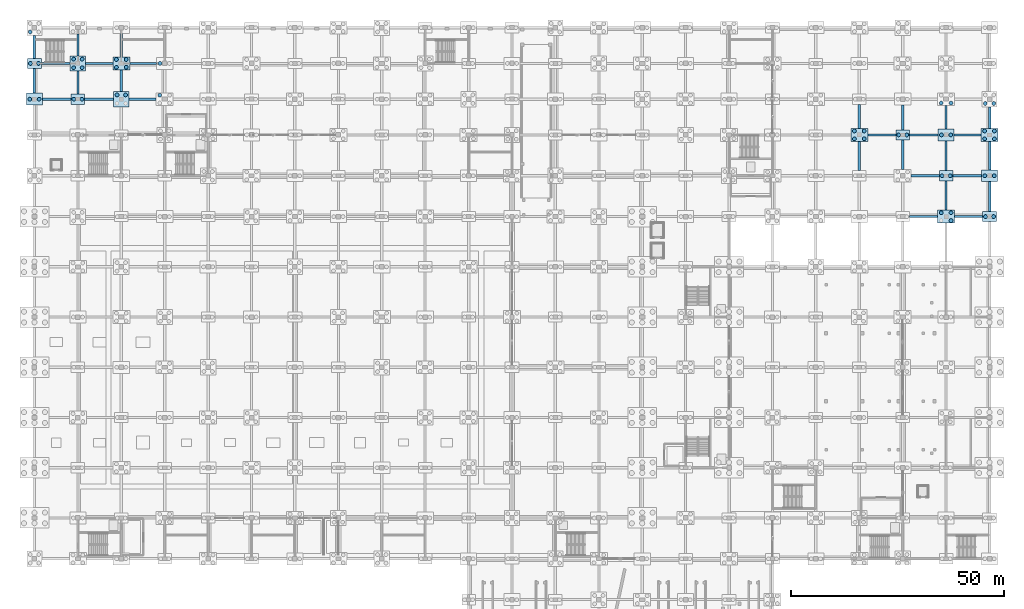
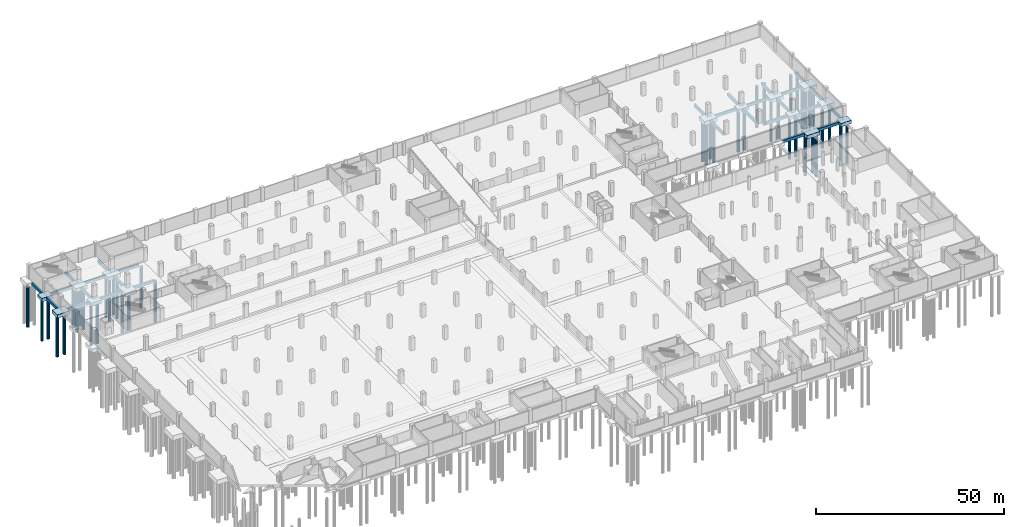
# One storey, part 17 of 52: 44 piles, 43 footings.
"""IFC4 building model written with IfcOpenShell, lengths in metres."""

from ifc_helpers import new_model, si_unit, direction, frame, origin, origin_2d, place, context, subcontext, project, spatial, polyline, rectangle, circle, outline, extrude, material, material_profile, profile_set, type_object, element, save


model = new_model("IFC4")

# Units and contexts
model_context = context("Model", 3, precision=1e-05, world=origin(), true_north=direction((0.0, 1.0)))
body_context = subcontext(model_context, "Body", "Model", "MODEL_VIEW")
ifc_project = project(units=[si_unit("LENGTHUNIT", "METRE"), si_unit("AREAUNIT", "SQUARE_METRE"), si_unit("VOLUMEUNIT", "CUBIC_METRE"), si_unit("PLANEANGLEUNIT", "RADIAN"), si_unit("MASSUNIT", "GRAM", prefix="KILO")], contexts=[model_context])

# Site, building, storey
site_placement = place(None, origin())
site = spatial("IfcSite", under=ifc_project, at=site_placement, CompositionType="ELEMENT")
building_placement = place(site_placement, origin())
building = spatial("IfcBuilding", under=site, at=building_placement, Name="Brelvane Convention Centre", CompositionType="ELEMENT")
storey_placement = place(building_placement, frame((0.0, 0.0, -4.5)))
storey = spatial("IfcBuildingStorey", under=building, at=storey_placement, Name="B1", CompositionType="ELEMENT", Elevation=-4.5)

# Piles
ifc_material_1 = material(Name="Concrete M40", Category="concrete")
ifc_material_profile_1 = material_profile(ifc_material_1, circle(Radius=0.449951171875, at=origin_2d()), Name="PILE D900")
ifc_profile_set_1 = profile_set([ifc_material_profile_1], Name="Concrete M40")
pile_type = type_object("IfcPileType", Name="Bored Pile PL-900", PredefinedType="BORED", material=ifc_profile_set_1)
for number, where, z_axis, x_axis, name in (
    (1, (-1.10009765625, 127.199951171875, -1.5), (0.0, 0.0, -1.0), (1.0, 0.0, 0.0), "Bored Pile PL-900 1-N-1"),
    (2, (1.10009765625, 127.199951171875, -1.5), (0.0, 0.0, -1.0), (1.0, 0.0, 0.0), "Bored Pile PL-900 1-N-2"),
):
    element("IfcPile", number, at=place(storey_placement, frame(where, z_axis=z_axis, x_axis=x_axis)), inside=storey, type_object=pile_type, Name=name, PredefinedType="BORED", context=body_context, shape_type="SweptSolid", body=[
        extrude(circle(Radius=0.449951171875, at=origin_2d()), origin(), (0.0, 0.0, 1.0), 13.5),
    ])
for number, where, z_axis, x_axis, name in (
    (3, (-0.949951171875, 135.60009765625, -1.449951171875), (0.0, 0.0, -1.0), (1.0, 0.0, 0.0), "Bored Pile PL-900 1-P-1"),
    (4, (0.949951171875, 135.60009765625, -1.449951171875), (0.0, 0.0, -1.0), (1.0, 0.0, 0.0), "Bored Pile PL-900 1-P-2"),
):
    element("IfcPile", number, at=place(storey_placement, frame(where, z_axis=z_axis, x_axis=x_axis)), inside=storey, type_object=pile_type, Name=name, PredefinedType="BORED", context=body_context, shape_type="SweptSolid", body=[
        extrude(circle(Radius=0.449951171875, at=origin_2d()), origin(), (0.0, 0.0, 1.0), 13.550048828125),
    ])
pile_1_placement = place(storey_placement, frame((-1.0, 143.0, -1.550048828125), z_axis=(0.0, 0.0, -1.0), x_axis=(1.0, 0.0, 0.0)))
element("IfcPile", 5, at=pile_1_placement, inside=storey, type_object=pile_type, Name="Bored Pile PL-900 1-Q-1", PredefinedType="BORED", context=body_context, shape_type="SweptSolid", body=[
    extrude(circle(Radius=0.449951171875, at=origin_2d()), origin(), (0.0, 0.0, 1.0), 13.449951171875),
])
for number, where, z_axis, x_axis, name in (
    (6, (9.25, 127.199951171875, -1.449951171875), (0.0, 0.0, -1.0), (1.0, 0.0, 0.0), "Bored Pile PL-900 2-N-1"),
    (7, (11.14990234375, 127.199951171875, -1.449951171875), (0.0, 0.0, -1.0), (1.0, 0.0, 0.0), "Bored Pile PL-900 2-N-2"),
):
    element("IfcPile", number, at=place(storey_placement, frame(where, z_axis=z_axis, x_axis=x_axis)), inside=storey, type_object=pile_type, Name=name, PredefinedType="BORED", context=body_context, shape_type="SweptSolid", body=[
        extrude(circle(Radius=0.449951171875, at=origin_2d()), origin(), (0.0, 0.0, 1.0), 13.550048828125),
    ])
for number, where, z_axis, x_axis, name in (
    (8, (9.199951171875, 134.60009765625, -1.550048828125), (0.0, 0.0, -1.0), (1.0, 0.0, 0.0), "Bored Pile PL-900 2-P-1"),
    (9, (11.199951171875, 134.60009765625, -1.550048828125), (0.0, 0.0, -1.0), (1.0, 0.0, 0.0), "Bored Pile PL-900 2-P-2"),
    (10, (9.199951171875, 136.60009765625, -1.550048828125), (0.0, 0.0, -1.0), (1.0, 0.0, 0.0), "Bored Pile PL-900 2-P-3"),
    (11, (11.199951171875, 136.60009765625, -1.550048828125), (0.0, 0.0, -1.0), (1.0, 0.0, 0.0), "Bored Pile PL-900 2-P-4"),
    (12, (19.39990234375, 128.199951171875, -1.550048828125), (0.0, 0.0, -1.0), (1.0, 0.0, 0.0), "Bored Pile PL-900 3-N-3"),
    (13, (21.39990234375, 128.199951171875, -1.550048828125), (0.0, 0.0, -1.0), (1.0, 0.0, 0.0), "Bored Pile PL-900 3-N-4"),
    (14, (19.25, 134.679931640625, -1.550048828125), (0.0, 0.0, -1.0), (1.0, 0.0, 0.0), "Bored Pile PL-900 3-P-1"),
    (15, (21.550048828125, 134.679931640625, -1.550048828125), (0.0, 0.0, -1.0), (1.0, 0.0, 0.0), "Bored Pile PL-900 3-P-2"),
    (16, (19.25, 136.52001953125, -1.550048828125), (0.0, 0.0, -1.0), (1.0, 0.0, 0.0), "Bored Pile PL-900 3-P-3"),
    (17, (21.550048828125, 136.52001953125, -1.550048828125), (0.0, 0.0, -1.0), (1.0, 0.0, 0.0), "Bored Pile PL-900 3-P-4"),
    (18, (29.449951171875, 128.1201171875, -1.550048828125), (0.0, 0.0, -1.0), (1.0, 0.0, 0.0), "Bored Pile PL-900 4-N-3"),
):
    element("IfcPile", number, at=place(storey_placement, frame(where, z_axis=z_axis, x_axis=x_axis)), inside=storey, type_object=pile_type, Name=name, PredefinedType="BORED", context=body_context, shape_type="SweptSolid", body=[
        extrude(circle(Radius=0.449951171875, at=origin_2d()), origin(), (0.0, 0.0, 1.0), 13.449951171875),
    ])
pile_2_placement = place(storey_placement, frame((29.5, 135.60009765625, -1.5), z_axis=(0.0, 0.0, -1.0), x_axis=(1.0, 0.0, 0.0)))
element("IfcPile", 19, at=pile_2_placement, inside=storey, type_object=pile_type, Name="Bored Pile PL-900 4-P-1", PredefinedType="BORED", context=body_context, shape_type="SweptSolid", body=[
    extrude(circle(Radius=0.449951171875, at=origin_2d()), origin(), (0.0, 0.0, 1.0), 13.5),
])
for number, where, z_axis, x_axis, name in (
    (20, (192.64990234375, 117.8798828125, -1.550048828125), (0.0, 0.0, -1.0), (1.0, 0.0, 0.0), "Bored Pile PL-900 20-M-1"),
    (21, (194.949951171875, 117.8798828125, -1.550048828125), (0.0, 0.0, -1.0), (1.0, 0.0, 0.0), "Bored Pile PL-900 20-M-2"),
    (22, (192.64990234375, 119.719970703125, -1.550048828125), (0.0, 0.0, -1.0), (1.0, 0.0, 0.0), "Bored Pile PL-900 20-M-3"),
    (23, (194.949951171875, 119.719970703125, -1.550048828125), (0.0, 0.0, -1.0), (1.0, 0.0, 0.0), "Bored Pile PL-900 20-M-4"),
):
    element("IfcPile", number, at=place(storey_placement, frame(where, z_axis=z_axis, x_axis=x_axis)), inside=storey, type_object=pile_type, Name=name, PredefinedType="BORED", context=body_context, shape_type="SweptSolid", body=[
        extrude(circle(Radius=0.449951171875, at=origin_2d()), origin(), (0.0, 0.0, 1.0), 13.449951171875),
    ])
for number, where, z_axis, x_axis, name in (
    (24, (203.050048828125, 118.800048828125, -1.449951171875), (0.0, 0.0, -1.0), (1.0, 0.0, 0.0), "Bored Pile PL-900 21-M-1"),
    (25, (204.949951171875, 118.800048828125, -1.449951171875), (0.0, 0.0, -1.0), (1.0, 0.0, 0.0), "Bored Pile PL-900 21-M-2"),
):
    element("IfcPile", number, at=place(storey_placement, frame(where, z_axis=z_axis, x_axis=x_axis)), inside=storey, type_object=pile_type, Name=name, PredefinedType="BORED", context=body_context, shape_type="SweptSolid", body=[
        extrude(circle(Radius=0.449951171875, at=origin_2d()), origin(), (0.0, 0.0, 1.0), 13.550048828125),
    ])
for number, where, z_axis, x_axis, name in (
    (26, (215.35009765625, 98.679931640625, -1.550048828125), (0.0, 0.0, -1.0), (1.0, 0.0, 0.0), "Bored Pile PL-900 22-K-2"),
    (27, (213.050048828125, 100.52001953125, -1.550048828125), (0.0, 0.0, -1.0), (1.0, 0.0, 0.0), "Bored Pile PL-900 22-K-3"),
    (28, (215.35009765625, 100.52001953125, -1.550048828125), (0.0, 0.0, -1.0), (1.0, 0.0, 0.0), "Bored Pile PL-900 22-K-4"),
):
    element("IfcPile", number, at=place(storey_placement, frame(where, z_axis=z_axis, x_axis=x_axis)), inside=storey, type_object=pile_type, Name=name, PredefinedType="BORED", context=body_context, shape_type="SweptSolid", body=[
        extrude(circle(Radius=0.449951171875, at=origin_2d()), origin(), (0.0, 0.0, 1.0), 13.449951171875),
    ])
for number, where, z_axis, x_axis, name in (
    (29, (213.25, 109.199951171875, -1.449951171875), (0.0, 0.0, -1.0), (1.0, 0.0, 0.0), "Bored Pile PL-900 22-L-1"),
    (30, (215.14990234375, 109.199951171875, -1.449951171875), (0.0, 0.0, -1.0), (1.0, 0.0, 0.0), "Bored Pile PL-900 22-L-2"),
):
    element("IfcPile", number, at=place(storey_placement, frame(where, z_axis=z_axis, x_axis=x_axis)), inside=storey, type_object=pile_type, Name=name, PredefinedType="BORED", context=body_context, shape_type="SweptSolid", body=[
        extrude(circle(Radius=0.449951171875, at=origin_2d()), origin(), (0.0, 0.0, 1.0), 13.550048828125),
    ])
for number, where, z_axis, x_axis, name in (
    (31, (213.10009765625, 118.800048828125, -1.5), (0.0, 0.0, -1.0), (1.0, 0.0, 0.0), "Bored Pile PL-900 22-M-1"),
    (32, (215.300048828125, 118.800048828125, -1.5), (0.0, 0.0, -1.0), (1.0, 0.0, 0.0), "Bored Pile PL-900 22-M-2"),
):
    element("IfcPile", number, at=place(storey_placement, frame(where, z_axis=z_axis, x_axis=x_axis)), inside=storey, type_object=pile_type, Name=name, PredefinedType="BORED", context=body_context, shape_type="SweptSolid", body=[
        extrude(circle(Radius=0.449951171875, at=origin_2d()), origin(), (0.0, 0.0, 1.0), 13.5),
    ])
for number, where, z_axis, x_axis, name in (
    (33, (213.050048828125, 126.280029296875, -1.550048828125), (0.0, 0.0, -1.0), (1.0, 0.0, 0.0), "Bored Pile PL-900 22-N-1"),
    (34, (215.35009765625, 126.280029296875, -1.550048828125), (0.0, 0.0, -1.0), (1.0, 0.0, 0.0), "Bored Pile PL-900 22-N-2"),
):
    element("IfcPile", number, at=place(storey_placement, frame(where, z_axis=z_axis, x_axis=x_axis)), inside=storey, type_object=pile_type, Name=name, PredefinedType="BORED", context=body_context, shape_type="SweptSolid", body=[
        extrude(circle(Radius=0.449951171875, at=origin_2d()), origin(), (0.0, 0.0, 1.0), 13.449951171875),
    ])
for number, where, z_axis, x_axis, name in (
    (35, (223.449951171875, 99.60009765625, -1.449951171875), (0.0, 0.0, -1.0), (1.0, 0.0, 0.0), "Bored Pile PL-900 23-K-1"),
    (36, (225.35009765625, 99.60009765625, -1.449951171875), (0.0, 0.0, -1.0), (1.0, 0.0, 0.0), "Bored Pile PL-900 23-K-2"),
):
    element("IfcPile", number, at=place(storey_placement, frame(where, z_axis=z_axis, x_axis=x_axis)), inside=storey, type_object=pile_type, Name=name, PredefinedType="BORED", context=body_context, shape_type="SweptSolid", body=[
        extrude(circle(Radius=0.449951171875, at=origin_2d()), origin(), (0.0, 0.0, 1.0), 13.550048828125),
    ])
for number, where, z_axis, x_axis, name in (
    (37, (223.300048828125, 109.199951171875, -1.5), (0.0, 0.0, -1.0), (1.0, 0.0, 0.0), "Bored Pile PL-900 23-L-1"),
    (38, (225.5, 109.199951171875, -1.5), (0.0, 0.0, -1.0), (1.0, 0.0, 0.0), "Bored Pile PL-900 23-L-2"),
):
    element("IfcPile", number, at=place(storey_placement, frame(where, z_axis=z_axis, x_axis=x_axis)), inside=storey, type_object=pile_type, Name=name, PredefinedType="BORED", context=body_context, shape_type="SweptSolid", body=[
        extrude(circle(Radius=0.449951171875, at=origin_2d()), origin(), (0.0, 0.0, 1.0), 13.5),
    ])
for number, where, z_axis, x_axis, name in (
    (39, (223.25, 117.8798828125, -1.550048828125), (0.0, 0.0, -1.0), (1.0, 0.0, 0.0), "Bored Pile PL-900 23-M-1"),
    (40, (225.550048828125, 117.8798828125, -1.550048828125), (0.0, 0.0, -1.0), (1.0, 0.0, 0.0), "Bored Pile PL-900 23-M-2"),
    (41, (223.25, 119.719970703125, -1.550048828125), (0.0, 0.0, -1.0), (1.0, 0.0, 0.0), "Bored Pile PL-900 23-M-3"),
    (42, (225.550048828125, 119.719970703125, -1.550048828125), (0.0, 0.0, -1.0), (1.0, 0.0, 0.0), "Bored Pile PL-900 23-M-4"),
    (43, (223.39990234375, 126.199951171875, -1.550048828125), (0.0, 0.0, -1.0), (1.0, 0.0, 0.0), "Bored Pile PL-900 23-N-1"),
    (44, (225.39990234375, 126.199951171875, -1.550048828125), (0.0, 0.0, -1.0), (1.0, 0.0, 0.0), "Bored Pile PL-900 23-N-2"),
):
    element("IfcPile", number, at=place(storey_placement, frame(where, z_axis=z_axis, x_axis=x_axis)), inside=storey, type_object=pile_type, Name=name, PredefinedType="BORED", context=body_context, shape_type="SweptSolid", body=[
        extrude(circle(Radius=0.449951171875, at=origin_2d()), origin(), (0.0, 0.0, 1.0), 13.449951171875),
    ])

# Footings
ifc_material_2 = material(Name="Concrete M40", Category="concrete")
ifc_material_profile_2 = material_profile(ifc_material_2, rectangle(XDim=0.60009765625, YDim=0.89990234375, at=origin_2d()), Name="RC 600x900")
ifc_profile_set_2 = profile_set([ifc_material_profile_2], Name="Concrete M40")
footing_type_1 = type_object("IfcFootingType", Name="Ground Tie Beam GB-1", PredefinedType="FOOTING_BEAM", material=ifc_profile_set_2)
footing_1_placement = place(storey_placement, frame((1.89990234375, 127.199951171875, -0.89990234375), z_axis=(1.0, 0.0, 0.0), x_axis=(0.0, 1.0, 0.0)))
element("IfcFooting", 45, at=footing_1_placement, inside=storey, type_object=footing_type_1, Name="Ground Tie Beam GB-1 1-2/N", PredefinedType="FOOTING_BEAM", context=body_context, shape_type="SweptSolid", body=[
    extrude(rectangle(XDim=0.60009765625, YDim=0.89990234375, at=origin_2d()), origin(), (0.0, 0.0, 1.0), 6.7001953125),
])
footing_2_placement = place(storey_placement, frame((0.0, 128.60009765625, -0.89990234375), z_axis=(0.0, 1.0, 0.0), x_axis=(-1.0, 0.0, 0.0)))
element("IfcFooting", 46, at=footing_2_placement, inside=storey, type_object=footing_type_1, Name="Ground Tie Beam GB-1 1/N-P", PredefinedType="FOOTING_BEAM", context=body_context, shape_type="SweptSolid", body=[
    extrude(rectangle(XDim=0.60009765625, YDim=0.89990234375, at=origin_2d()), origin(), (0.0, 0.0, 1.0), 5.7998046875),
])
footing_3_placement = place(storey_placement, frame((0.0, 136.800048828125, -0.89990234375), z_axis=(0.0, 1.0, 0.0), x_axis=(-1.0, 0.0, 0.0)))
element("IfcFooting", 47, at=footing_3_placement, inside=storey, type_object=footing_type_1, Name="Ground Tie Beam GB-1 1/P-Q", PredefinedType="FOOTING_BEAM", context=body_context, shape_type="SweptSolid", body=[
    extrude(rectangle(XDim=0.60009765625, YDim=0.89990234375, at=origin_2d()), origin(), (0.0, 0.0, 1.0), 5.39990234375),
])
footing_4_placement = place(storey_placement, frame((11.800048828125, 127.199951171875, -0.89990234375), z_axis=(1.0, 0.0, 0.0), x_axis=(0.0, 1.0, 0.0)))
element("IfcFooting", 48, at=footing_4_placement, inside=storey, type_object=footing_type_1, Name="Ground Tie Beam GB-1 2-3/N", PredefinedType="FOOTING_BEAM", context=body_context, shape_type="SweptSolid", body=[
    extrude(rectangle(XDim=0.60009765625, YDim=0.89990234375, at=origin_2d()), origin(), (0.0, 0.0, 1.0), 6.800048828125),
])
footing_5_placement = place(storey_placement, frame((22.199951171875, 127.199951171875, -0.89990234375), z_axis=(1.0, 0.0, 0.0), x_axis=(0.0, 1.0, 0.0)))
element("IfcFooting", 49, at=footing_5_placement, inside=storey, type_object=footing_type_1, Name="Ground Tie Beam GB-1 3-4/N", PredefinedType="FOOTING_BEAM", context=body_context, shape_type="SweptSolid", body=[
    extrude(rectangle(XDim=0.60009765625, YDim=0.89990234375, at=origin_2d()), origin(), (0.0, 0.0, 1.0), 6.400146484375),
])
footing_6_placement = place(storey_placement, frame((20.39990234375, 129.0, -0.89990234375), z_axis=(0.0, 1.0, 0.0), x_axis=(-1.0, 0.0, 0.0)))
element("IfcFooting", 50, at=footing_6_placement, inside=storey, type_object=footing_type_1, Name="Ground Tie Beam GB-1 3/N-P", PredefinedType="FOOTING_BEAM", context=body_context, shape_type="SweptSolid", body=[
    extrude(rectangle(XDim=0.60009765625, YDim=0.89990234375, at=origin_2d()), origin(), (0.0, 0.0, 1.0), 5.10009765625),
])
footing_7_placement = place(storey_placement, frame((20.39990234375, 137.10009765625, -0.89990234375), z_axis=(0.0, 1.0, 0.0), x_axis=(-1.0, 0.0, 0.0)))
element("IfcFooting", 51, at=footing_7_placement, inside=storey, type_object=footing_type_1, Name="Ground Tie Beam GB-1 3/P-Q", PredefinedType="FOOTING_BEAM", context=body_context, shape_type="SweptSolid", body=[
    extrude(rectangle(XDim=0.60009765625, YDim=0.89990234375, at=origin_2d()), origin(), (0.0, 0.0, 1.0), 5.5),
])
footing_8_placement = place(storey_placement, frame((206.0, 109.199951171875, -0.89990234375), z_axis=(1.0, 0.0, 0.0), x_axis=(0.0, 1.0, 0.0)))
element("IfcFooting", 52, at=footing_8_placement, inside=storey, type_object=footing_type_1, Name="Ground Tie Beam GB-1 21-22/L", PredefinedType="FOOTING_BEAM", context=body_context, shape_type="SweptSolid", body=[
    extrude(rectangle(XDim=0.60009765625, YDim=0.89990234375, at=origin_2d()), origin(), (0.0, 0.0, 1.0), 6.60009765625),
])
footing_9_placement = place(storey_placement, frame((204.0, 110.699951171875, -0.89990234375), z_axis=(0.0, 1.0, 0.0), x_axis=(-1.0, 0.0, 0.0)))
element("IfcFooting", 53, at=footing_9_placement, inside=storey, type_object=footing_type_1, Name="Ground Tie Beam GB-1 21/L-M", PredefinedType="FOOTING_BEAM", context=body_context, shape_type="SweptSolid", body=[
    extrude(rectangle(XDim=0.60009765625, YDim=0.89990234375, at=origin_2d()), origin(), (0.0, 0.0, 1.0), 6.900146484375),
])
footing_10_placement = place(storey_placement, frame((204.0, 120.0, -0.89990234375), z_axis=(0.0, 1.0, 0.0), x_axis=(-1.0, 0.0, 0.0)))
element("IfcFooting", 54, at=footing_10_placement, inside=storey, type_object=footing_type_1, Name="Ground Tie Beam GB-1 21/M-N", PredefinedType="FOOTING_BEAM", context=body_context, shape_type="SweptSolid", body=[
    extrude(rectangle(XDim=0.60009765625, YDim=0.89990234375, at=origin_2d()), origin(), (0.0, 0.0, 1.0), 5.800048828125),
])
footing_11_placement = place(storey_placement, frame((215.800048828125, 109.199951171875, -0.89990234375), z_axis=(1.0, 0.0, 0.0), x_axis=(0.0, 1.0, 0.0)))
element("IfcFooting", 55, at=footing_11_placement, inside=storey, type_object=footing_type_1, Name="Ground Tie Beam GB-1 22-23/L", PredefinedType="FOOTING_BEAM", context=body_context, shape_type="SweptSolid", body=[
    extrude(rectangle(XDim=0.60009765625, YDim=0.89990234375, at=origin_2d()), origin(), (0.0, 0.0, 1.0), 6.699951171875),
])
footing_12_placement = place(storey_placement, frame((224.39990234375, 100.800048828125, -0.89990234375), z_axis=(0.0, 1.0, 0.0), x_axis=(-1.0, 0.0, 0.0)))
element("IfcFooting", 56, at=footing_12_placement, inside=storey, type_object=footing_type_1, Name="Ground Tie Beam GB-1 23/K-L", PredefinedType="FOOTING_BEAM", context=body_context, shape_type="SweptSolid", body=[
    extrude(rectangle(XDim=0.60009765625, YDim=0.89990234375, at=origin_2d()), origin(), (0.0, 0.0, 1.0), 7.0),
])
footing_13_placement = place(storey_placement, frame((224.39990234375, 110.60009765625, -0.89990234375), z_axis=(0.0, 1.0, 0.0), x_axis=(-1.0, 0.0, 0.0)))
element("IfcFooting", 57, at=footing_13_placement, inside=storey, type_object=footing_type_1, Name="Ground Tie Beam GB-1 23/L-M", PredefinedType="FOOTING_BEAM", context=body_context, shape_type="SweptSolid", body=[
    extrude(rectangle(XDim=0.60009765625, YDim=0.89990234375, at=origin_2d()), origin(), (0.0, 0.0, 1.0), 6.699951171875),
])
footing_14_placement = place(storey_placement, frame((224.39990234375, 120.300048828125, -0.89990234375), z_axis=(0.0, 1.0, 0.0), x_axis=(-1.0, 0.0, 0.0)))
element("IfcFooting", 58, at=footing_14_placement, inside=storey, type_object=footing_type_1, Name="Ground Tie Beam GB-1 23/M-N", PredefinedType="FOOTING_BEAM", context=body_context, shape_type="SweptSolid", body=[
    extrude(rectangle(XDim=0.60009765625, YDim=0.89990234375, at=origin_2d()), origin(), (0.0, 0.0, 1.0), 5.099853515625),
])
ifc_material_3 = material(Name="Concrete M40", Category="concrete")
ifc_material_profile_3 = material_profile(ifc_material_3, rectangle(XDim=0.5, YDim=0.89990234375, at=origin_2d()), Name="RC 500x900")
ifc_profile_set_3 = profile_set([ifc_material_profile_3], Name="Concrete M40")
footing_type_2 = type_object("IfcFootingType", Name="Ground Tie Beam GB-2", PredefinedType="FOOTING_BEAM", material=ifc_profile_set_3)
footing_15_placement = place(storey_placement, frame((1.60009765625, 135.60009765625, -0.89990234375), z_axis=(1.0, 0.0, 0.0), x_axis=(0.0, 1.0, 0.0)))
element("IfcFooting", 59, at=footing_15_placement, inside=storey, type_object=footing_type_2, Name="Ground Tie Beam GB-2 1-2/P", PredefinedType="FOOTING_BEAM", context=body_context, shape_type="SweptSolid", body=[
    extrude(rectangle(XDim=0.5, YDim=0.89990234375, at=origin_2d()), origin(), (0.0, 0.0, 1.0), 6.7998046875),
])
footing_16_placement = place(storey_placement, frame((10.199951171875, 128.39990234375, -0.89990234375), z_axis=(0.0, 1.0, 0.0), x_axis=(-1.0, 0.0, 0.0)))
element("IfcFooting", 60, at=footing_16_placement, inside=storey, type_object=footing_type_2, Name="Ground Tie Beam GB-2 2/N-P", PredefinedType="FOOTING_BEAM", context=body_context, shape_type="SweptSolid", body=[
    extrude(rectangle(XDim=0.5, YDim=0.89990234375, at=origin_2d()), origin(), (0.0, 0.0, 1.0), 5.400146484375),
])
footing_17_placement = place(storey_placement, frame((12.0, 135.60009765625, -0.89990234375), z_axis=(1.0, 0.0, 0.0), x_axis=(0.0, 1.0, 0.0)))
element("IfcFooting", 61, at=footing_17_placement, inside=storey, type_object=footing_type_2, Name="Ground Tie Beam GB-2 2-3/P", PredefinedType="FOOTING_BEAM", context=body_context, shape_type="SweptSolid", body=[
    extrude(rectangle(XDim=0.5, YDim=0.89990234375, at=origin_2d()), origin(), (0.0, 0.0, 1.0), 6.39990234375),
])
footing_18_placement = place(storey_placement, frame((10.199951171875, 137.39990234375, -0.89990234375), z_axis=(0.0, 1.0, 0.0), x_axis=(-1.0, 0.0, 0.0)))
element("IfcFooting", 62, at=footing_18_placement, inside=storey, type_object=footing_type_2, Name="Ground Tie Beam GB-2 2/P-Q", PredefinedType="FOOTING_BEAM", context=body_context, shape_type="SweptSolid", body=[
    extrude(rectangle(XDim=0.5, YDim=0.89990234375, at=origin_2d()), origin(), (0.0, 0.0, 1.0), 5.10009765625),
])
footing_19_placement = place(storey_placement, frame((22.39990234375, 135.60009765625, -0.89990234375), z_axis=(1.0, 0.0, 0.0), x_axis=(0.0, 1.0, 0.0)))
element("IfcFooting", 63, at=footing_19_placement, inside=storey, type_object=footing_type_2, Name="Ground Tie Beam GB-2 3-4/P", PredefinedType="FOOTING_BEAM", context=body_context, shape_type="SweptSolid", body=[
    extrude(rectangle(XDim=0.5, YDim=0.89990234375, at=origin_2d()), origin(), (0.0, 0.0, 1.0), 6.300048828125),
])
footing_20_placement = place(storey_placement, frame((193.800048828125, 110.39990234375, -0.89990234375), z_axis=(0.0, 1.0, 0.0), x_axis=(-1.0, 0.0, 0.0)))
element("IfcFooting", 64, at=footing_20_placement, inside=storey, type_object=footing_type_2, Name="Ground Tie Beam GB-2 20/L-M", PredefinedType="FOOTING_BEAM", context=body_context, shape_type="SweptSolid", body=[
    extrude(rectangle(XDim=0.5, YDim=0.89990234375, at=origin_2d()), origin(), (0.0, 0.0, 1.0), 6.900146484375),
])
footing_21_placement = place(storey_placement, frame((195.800048828125, 118.800048828125, -0.89990234375), z_axis=(1.0, 0.0, 0.0), x_axis=(0.0, 1.0, 0.0)))
element("IfcFooting", 65, at=footing_21_placement, inside=storey, type_object=footing_type_2, Name="Ground Tie Beam GB-2 20-21/M", PredefinedType="FOOTING_BEAM", context=body_context, shape_type="SweptSolid", body=[
    extrude(rectangle(XDim=0.5, YDim=0.89990234375, at=origin_2d()), origin(), (0.0, 0.0, 1.0), 6.599853515625),
])
footing_22_placement = place(storey_placement, frame((193.800048828125, 120.300048828125, -0.89990234375), z_axis=(0.0, 1.0, 0.0), x_axis=(-1.0, 0.0, 0.0)))
element("IfcFooting", 66, at=footing_22_placement, inside=storey, type_object=footing_type_2, Name="Ground Tie Beam GB-2 20/M-N", PredefinedType="FOOTING_BEAM", context=body_context, shape_type="SweptSolid", body=[
    extrude(rectangle(XDim=0.5, YDim=0.89990234375, at=origin_2d()), origin(), (0.0, 0.0, 1.0), 5.699951171875),
])
footing_23_placement = place(storey_placement, frame((205.60009765625, 99.60009765625, -0.89990234375), z_axis=(1.0, 0.0, 0.0), x_axis=(0.0, 1.0, 0.0)))
element("IfcFooting", 67, at=footing_23_placement, inside=storey, type_object=footing_type_2, Name="Ground Tie Beam GB-2 21-22/K", PredefinedType="FOOTING_BEAM", context=body_context, shape_type="SweptSolid", body=[
    extrude(rectangle(XDim=0.5, YDim=0.89990234375, at=origin_2d()), origin(), (0.0, 0.0, 1.0), 6.599853515625),
])
footing_24_placement = place(storey_placement, frame((205.60009765625, 118.800048828125, -0.89990234375), z_axis=(1.0, 0.0, 0.0), x_axis=(0.0, 1.0, 0.0)))
element("IfcFooting", 68, at=footing_24_placement, inside=storey, type_object=footing_type_2, Name="Ground Tie Beam GB-2 21-22/M", PredefinedType="FOOTING_BEAM", context=body_context, shape_type="SweptSolid", body=[
    extrude(rectangle(XDim=0.5, YDim=0.89990234375, at=origin_2d()), origin(), (0.0, 0.0, 1.0), 6.699951171875),
])
footing_25_placement = place(storey_placement, frame((216.199951171875, 99.60009765625, -0.89990234375), z_axis=(1.0, 0.0, 0.0), x_axis=(0.0, 1.0, 0.0)))
element("IfcFooting", 69, at=footing_25_placement, inside=storey, type_object=footing_type_2, Name="Ground Tie Beam GB-2 22-23/K", PredefinedType="FOOTING_BEAM", context=body_context, shape_type="SweptSolid", body=[
    extrude(rectangle(XDim=0.5, YDim=0.89990234375, at=origin_2d()), origin(), (0.0, 0.0, 1.0), 6.60009765625),
])
footing_26_placement = place(storey_placement, frame((214.199951171875, 101.10009765625, -0.89990234375), z_axis=(0.0, 1.0, 0.0), x_axis=(-1.0, 0.0, 0.0)))
element("IfcFooting", 70, at=footing_26_placement, inside=storey, type_object=footing_type_2, Name="Ground Tie Beam GB-2 22/K-L", PredefinedType="FOOTING_BEAM", context=body_context, shape_type="SweptSolid", body=[
    extrude(rectangle(XDim=0.5, YDim=0.89990234375, at=origin_2d()), origin(), (0.0, 0.0, 1.0), 6.89990234375),
])
footing_27_placement = place(storey_placement, frame((214.199951171875, 110.39990234375, -0.89990234375), z_axis=(0.0, 1.0, 0.0), x_axis=(-1.0, 0.0, 0.0)))
element("IfcFooting", 71, at=footing_27_placement, inside=storey, type_object=footing_type_2, Name="Ground Tie Beam GB-2 22/L-M", PredefinedType="FOOTING_BEAM", context=body_context, shape_type="SweptSolid", body=[
    extrude(rectangle(XDim=0.5, YDim=0.89990234375, at=origin_2d()), origin(), (0.0, 0.0, 1.0), 7.0),
])
footing_28_placement = place(storey_placement, frame((216.10009765625, 118.800048828125, -0.89990234375), z_axis=(1.0, 0.0, 0.0), x_axis=(0.0, 1.0, 0.0)))
element("IfcFooting", 72, at=footing_28_placement, inside=storey, type_object=footing_type_2, Name="Ground Tie Beam GB-2 22-23/M", PredefinedType="FOOTING_BEAM", context=body_context, shape_type="SweptSolid", body=[
    extrude(rectangle(XDim=0.5, YDim=0.89990234375, at=origin_2d()), origin(), (0.0, 0.0, 1.0), 6.2998046875),
])
footing_29_placement = place(storey_placement, frame((214.199951171875, 120.199951171875, -0.89990234375), z_axis=(0.0, 1.0, 0.0), x_axis=(-1.0, 0.0, 0.0)))
element("IfcFooting", 73, at=footing_29_placement, inside=storey, type_object=footing_type_2, Name="Ground Tie Beam GB-2 22/M-N", PredefinedType="FOOTING_BEAM", context=body_context, shape_type="SweptSolid", body=[
    extrude(rectangle(XDim=0.5, YDim=0.89990234375, at=origin_2d()), origin(), (0.0, 0.0, 1.0), 5.5),
])
ifc_material_4 = material(Name="Concrete M40", Category="concrete")
footing_type_3 = type_object("IfcFootingType", Name="Pile Cap PC-2", PredefinedType="PILE_CAP", material=ifc_material_4)
footing_30_placement = place(storey_placement, frame((0.0, 0.0, -1.550048828125)))
element("IfcFooting", 74, at=footing_30_placement, inside=storey, type_object=footing_type_3, Name="Pile Cap PC-2 at 1-P", PredefinedType="PILE_CAP", context=body_context, shape_type="SweptSolid", body=[
    extrude(outline(polyline([(-1.60009765625, 134.39990234375), (1.60009765625, 134.39990234375), (1.60009765625, 136.800048828125), (-1.60009765625, 136.800048828125), (-1.60009765625, 134.39990234375)])), origin(), (0.0, 0.0, 1.0), 1.10009765625),
])
footing_31_placement = place(storey_placement, frame((0.0, 0.0, -1.550048828125)))
element("IfcFooting", 75, at=footing_31_placement, inside=storey, type_object=footing_type_3, Name="Pile Cap PC-2 at 2-N", PredefinedType="PILE_CAP", context=body_context, shape_type="SweptSolid", body=[
    extrude(outline(polyline([(8.60009765625, 126.0), (11.800048828125, 126.0), (11.800048828125, 128.39990234375), (8.60009765625, 128.39990234375), (8.60009765625, 126.0)])), origin(), (0.0, 0.0, 1.0), 1.10009765625),
])
footing_32_placement = place(storey_placement, frame((0.0, 0.0, -1.550048828125)))
element("IfcFooting", 76, at=footing_32_placement, inside=storey, type_object=footing_type_3, Name="Pile Cap PC-2 at 21-M", PredefinedType="PILE_CAP", context=body_context, shape_type="SweptSolid", body=[
    extrude(outline(polyline([(202.39990234375, 117.60009765625), (205.60009765625, 117.60009765625), (205.60009765625, 120.0), (202.39990234375, 120.0), (202.39990234375, 117.60009765625)])), origin(), (0.0, 0.0, 1.0), 1.10009765625),
])
footing_33_placement = place(storey_placement, frame((0.0, 0.0, -1.550048828125)))
element("IfcFooting", 77, at=footing_33_placement, inside=storey, type_object=footing_type_3, Name="Pile Cap PC-2 at 22-L", PredefinedType="PILE_CAP", context=body_context, shape_type="SweptSolid", body=[
    extrude(outline(polyline([(212.60009765625, 108.0), (215.800048828125, 108.0), (215.800048828125, 110.39990234375), (212.60009765625, 110.39990234375), (212.60009765625, 108.0)])), origin(), (0.0, 0.0, 1.0), 1.10009765625),
])
footing_34_placement = place(storey_placement, frame((0.0, 0.0, -1.550048828125)))
element("IfcFooting", 78, at=footing_34_placement, inside=storey, type_object=footing_type_3, Name="Pile Cap PC-2 at 23-K", PredefinedType="PILE_CAP", context=body_context, shape_type="SweptSolid", body=[
    extrude(outline(polyline([(222.800048828125, 98.39990234375), (226.0, 98.39990234375), (226.0, 100.800048828125), (222.800048828125, 100.800048828125), (222.800048828125, 98.39990234375)])), origin(), (0.0, 0.0, 1.0), 1.10009765625),
])
ifc_material_5 = material(Name="Concrete M40", Category="concrete")
footing_type_4 = type_object("IfcFootingType", Name="Pile Cap PC-3", PredefinedType="PILE_CAP", material=ifc_material_5)
footing_35_placement = place(storey_placement, frame((0.0, 0.0, -1.64990234375)))
element("IfcFooting", 79, at=footing_35_placement, inside=storey, type_object=footing_type_4, Name="Pile Cap PC-3 at 2-P", PredefinedType="PILE_CAP", context=body_context, shape_type="SweptSolid", body=[
    extrude(outline(polyline([(8.39990234375, 133.800048828125), (12.0, 133.800048828125), (12.0, 137.39990234375), (8.39990234375, 137.39990234375), (8.39990234375, 133.800048828125)])), origin(), (0.0, 0.0, 1.0), 1.199951171875),
])
footing_36_placement = place(storey_placement, frame((0.0, 0.0, -1.64990234375)))
element("IfcFooting", 80, at=footing_36_placement, inside=storey, type_object=footing_type_4, Name="Pile Cap PC-3 at 3-N", PredefinedType="PILE_CAP", context=body_context, shape_type="SweptSolid", body=[
    extrude(outline(polyline([(18.60009765625, 125.39990234375), (22.199951171875, 125.39990234375), (22.199951171875, 129.0), (18.60009765625, 129.0), (18.60009765625, 125.39990234375)])), origin(), (0.0, 0.0, 1.0), 1.199951171875),
])
ifc_material_6 = material(Name="Concrete M40", Category="concrete")
footing_type_5 = type_object("IfcFootingType", Name="Pile Cap PC-4", PredefinedType="PILE_CAP", material=ifc_material_6)
footing_37_placement = place(storey_placement, frame((0.0, 0.0, -1.64990234375)))
element("IfcFooting", 81, at=footing_37_placement, inside=storey, type_object=footing_type_5, Name="Pile Cap PC-4 at 3-P", PredefinedType="PILE_CAP", context=body_context, shape_type="SweptSolid", body=[
    extrude(outline(polyline([(18.39990234375, 134.10009765625), (22.39990234375, 134.10009765625), (22.39990234375, 137.10009765625), (18.39990234375, 137.10009765625), (18.39990234375, 134.10009765625)])), origin(), (0.0, 0.0, 1.0), 1.199951171875),
])
footing_38_placement = place(storey_placement, frame((0.0, 0.0, -1.64990234375)))
element("IfcFooting", 82, at=footing_38_placement, inside=storey, type_object=footing_type_5, Name="Pile Cap PC-4 at 20-M", PredefinedType="PILE_CAP", context=body_context, shape_type="SweptSolid", body=[
    extrude(outline(polyline([(191.800048828125, 117.300048828125), (195.800048828125, 117.300048828125), (195.800048828125, 120.300048828125), (191.800048828125, 120.300048828125), (191.800048828125, 117.300048828125)])), origin(), (0.0, 0.0, 1.0), 1.199951171875),
])
footing_39_placement = place(storey_placement, frame((0.0, 0.0, -1.64990234375)))
element("IfcFooting", 83, at=footing_39_placement, inside=storey, type_object=footing_type_5, Name="Pile Cap PC-4 at 22-K", PredefinedType="PILE_CAP", context=body_context, shape_type="SweptSolid", body=[
    extrude(outline(polyline([(212.199951171875, 98.10009765625), (216.199951171875, 98.10009765625), (216.199951171875, 101.10009765625), (212.199951171875, 101.10009765625), (212.199951171875, 98.10009765625)])), origin(), (0.0, 0.0, 1.0), 1.199951171875),
])
footing_40_placement = place(storey_placement, frame((0.0, 0.0, -1.64990234375)))
element("IfcFooting", 84, at=footing_40_placement, inside=storey, type_object=footing_type_5, Name="Pile Cap PC-4 at 23-M", PredefinedType="PILE_CAP", context=body_context, shape_type="SweptSolid", body=[
    extrude(outline(polyline([(222.39990234375, 117.300048828125), (226.39990234375, 117.300048828125), (226.39990234375, 120.300048828125), (222.39990234375, 120.300048828125), (222.39990234375, 117.300048828125)])), origin(), (0.0, 0.0, 1.0), 1.199951171875),
])
ifc_material_7 = material(Name="Concrete M40", Category="concrete")
footing_type_6 = type_object("IfcFootingType", Name="Pile Cap PC-9", PredefinedType="PILE_CAP", material=ifc_material_7)
footing_41_placement = place(storey_placement, frame((0.0, 0.0, -1.60009765625)))
element("IfcFooting", 85, at=footing_41_placement, inside=storey, type_object=footing_type_6, Name="Pile Cap PC-9 at 1-N", PredefinedType="PILE_CAP", context=body_context, shape_type="SweptSolid", body=[
    extrude(outline(polyline([(-1.89990234375, 125.800048828125), (1.89990234375, 125.800048828125), (1.89990234375, 128.60009765625), (-1.89990234375, 128.60009765625), (-1.89990234375, 125.800048828125)])), origin(), (0.0, 0.0, 1.0), 1.150146484375),
])
footing_42_placement = place(storey_placement, frame((0.0, 0.0, -1.60009765625)))
element("IfcFooting", 86, at=footing_42_placement, inside=storey, type_object=footing_type_6, Name="Pile Cap PC-9 at 22-M", PredefinedType="PILE_CAP", context=body_context, shape_type="SweptSolid", body=[
    extrude(outline(polyline([(212.300048828125, 117.39990234375), (216.10009765625, 117.39990234375), (216.10009765625, 120.199951171875), (212.300048828125, 120.199951171875), (212.300048828125, 117.39990234375)])), origin(), (0.0, 0.0, 1.0), 1.150146484375),
])
footing_43_placement = place(storey_placement, frame((0.0, 0.0, -1.60009765625)))
element("IfcFooting", 87, at=footing_43_placement, inside=storey, type_object=footing_type_6, Name="Pile Cap PC-9 at 23-L", PredefinedType="PILE_CAP", context=body_context, shape_type="SweptSolid", body=[
    extrude(outline(polyline([(222.5, 107.800048828125), (226.300048828125, 107.800048828125), (226.300048828125, 110.60009765625), (222.5, 110.60009765625), (222.5, 107.800048828125)])), origin(), (0.0, 0.0, 1.0), 1.150146484375),
])

save(model, "model.ifc")
